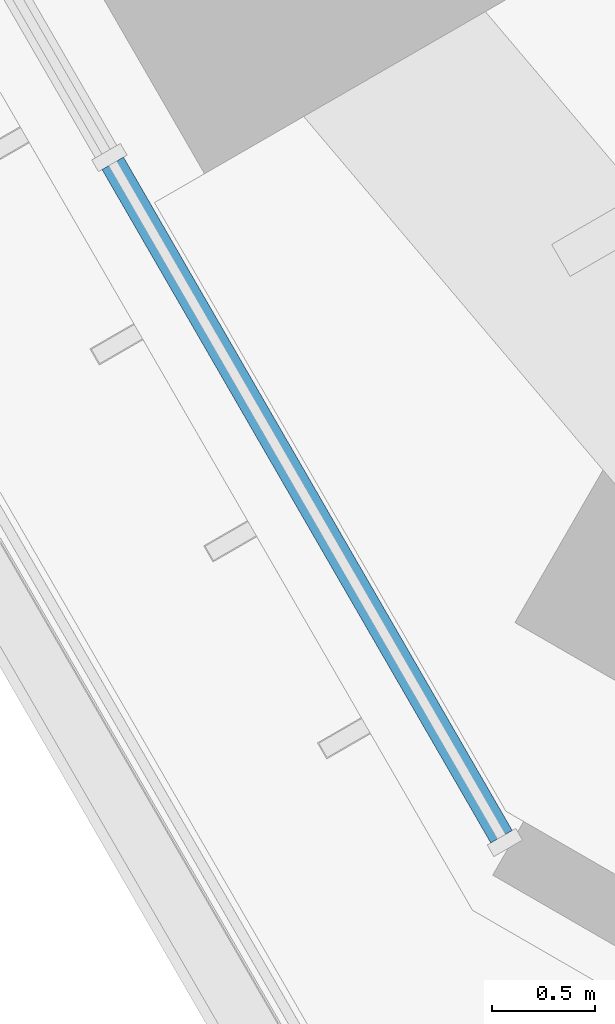
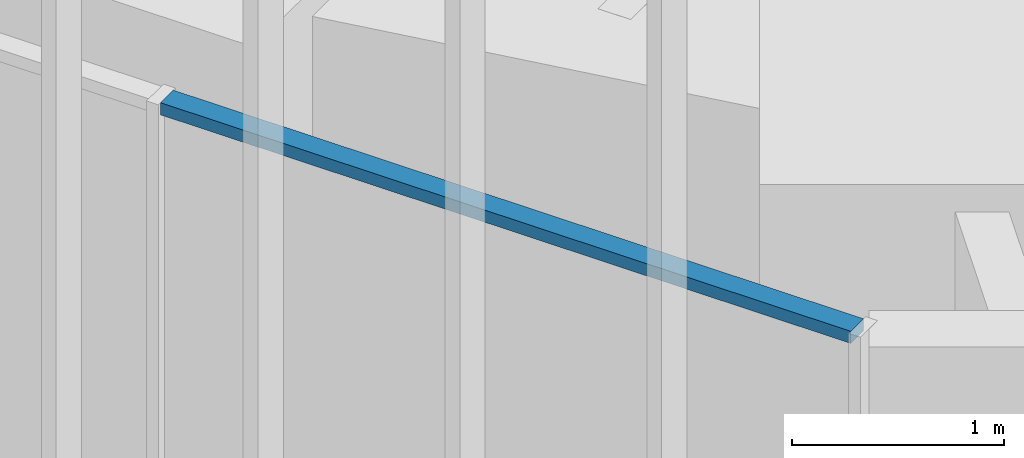
# One storey, part 21 of 228: 1 member, 1 element without a shape of its own.
"""IFC4 building model written with IfcOpenShell, lengths in metres."""

from ifc_helpers import new_model, si_unit, direction, frame, origin, origin_2d, place, context, subcontext, project, spatial, rectangle, extrude, material, material_profile, profile_set, type_object, element, aggregate, save


model = new_model("IFC4")

# Units and contexts
model_context = context("Model", 3, precision=1e-05, world=origin(), true_north=direction((0.0, 1.0)))
body_context = subcontext(model_context, "Body", "Model", "MODEL_VIEW")
ifc_project = project(units=[si_unit("LENGTHUNIT", "METRE"), si_unit("AREAUNIT", "SQUARE_METRE"), si_unit("VOLUMEUNIT", "CUBIC_METRE"), si_unit("PLANEANGLEUNIT", "RADIAN"), si_unit("MASSUNIT", "GRAM", prefix="KILO")], contexts=[model_context])

# Site, building, storey
site_placement = place(None, origin())
site = spatial("IfcSite", under=ifc_project, at=site_placement, CompositionType="ELEMENT")
building_placement = place(site_placement, origin())
building = spatial("IfcBuilding", under=site, at=building_placement, Name="Sandreach Pilgrim Tower", CompositionType="ELEMENT")
storey_placement = place(building_placement, frame((0.0, 0.0, 178.199951171875)))
storey = spatial("IfcBuildingStorey", under=building, at=storey_placement, Name="L44", CompositionType="ELEMENT", Elevation=178.199951171875)

# Curtain wall, member
ifc_material_1 = material(Name="Aluminium framed curtain wall", Category="aluminium")
curtain_wall_type = type_object("IfcCurtainWallType", Name="Upper hotel tower curtain wall", PredefinedType="NOTDEFINED", material=ifc_material_1)
curtain_wall_placement = place(storey_placement, origin())
curtain_wall = element("IfcCurtainWall", 1, at=curtain_wall_placement, inside=storey, type_object=curtain_wall_type, Name="CW-3 L44 SW", PredefinedType="NOTDEFINED")
ifc_material_2 = material(Name="Aluminium extrusion", Category="aluminium")
ifc_material_profile = material_profile(ifc_material_2, rectangle(XDim=0.1201171875, YDim=0.070068359375, at=origin_2d()), Name="CW-3T 120X70")
ifc_profile_set = profile_set([ifc_material_profile], Name="Aluminium extrusion")
member_type = type_object("IfcMemberType", Name="CW-3 transom", PredefinedType="USERDEFINED", material=ifc_profile_set)
member_placement = place(storey_placement, frame((-9.662841796875, -25.583740234375, 4.804931640625), z_axis=(-0.499973055223, 0.8660409598, 0.0), x_axis=(-0.8660409598, -0.499973055223, 0.0)))
member = element("IfcMember", 2, at=member_placement, type_object=member_type, Name="CW-3 head transom 1", ObjectType="TRANSOM", PredefinedType="USERDEFINED", context=body_context, shape_type="SweptSolid", body=[
    extrude(rectangle(XDim=0.1201171875, YDim=0.070068359375, at=origin_2d()), origin(), (0.0, 0.0, 1.0), 3.766845703125),
])
aggregate(curtain_wall, [member])

save(model, "model.ifc")
